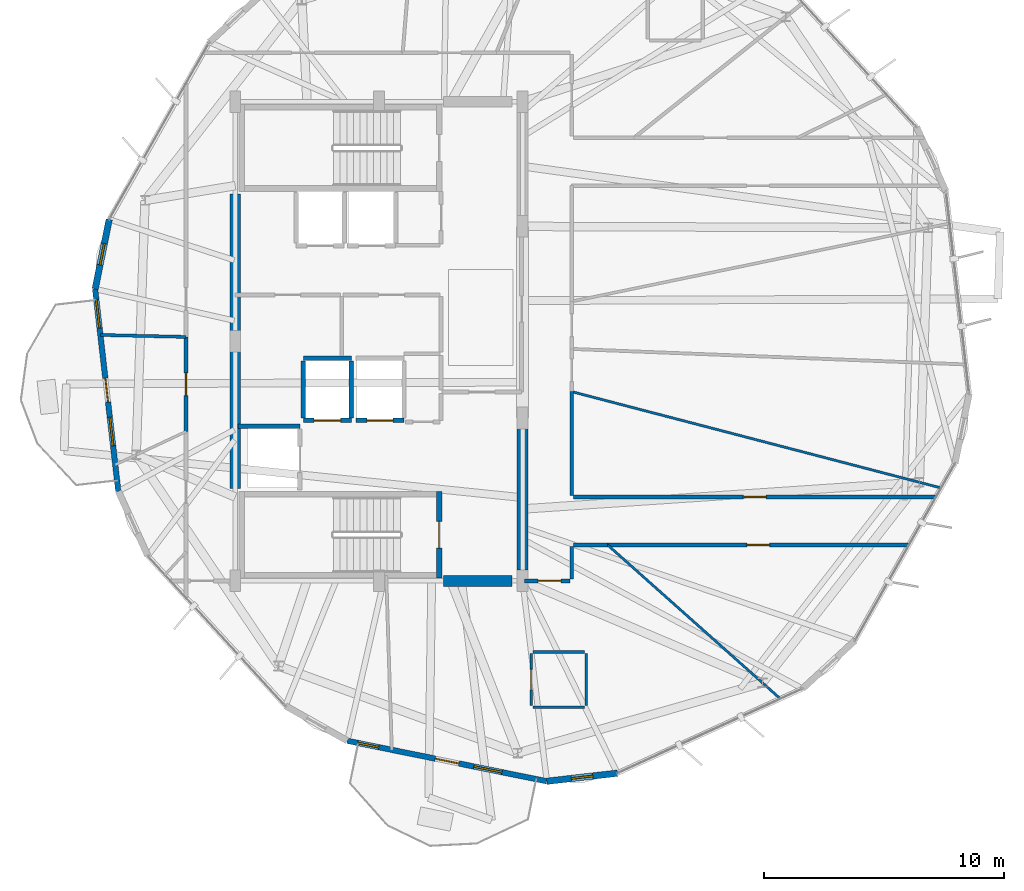
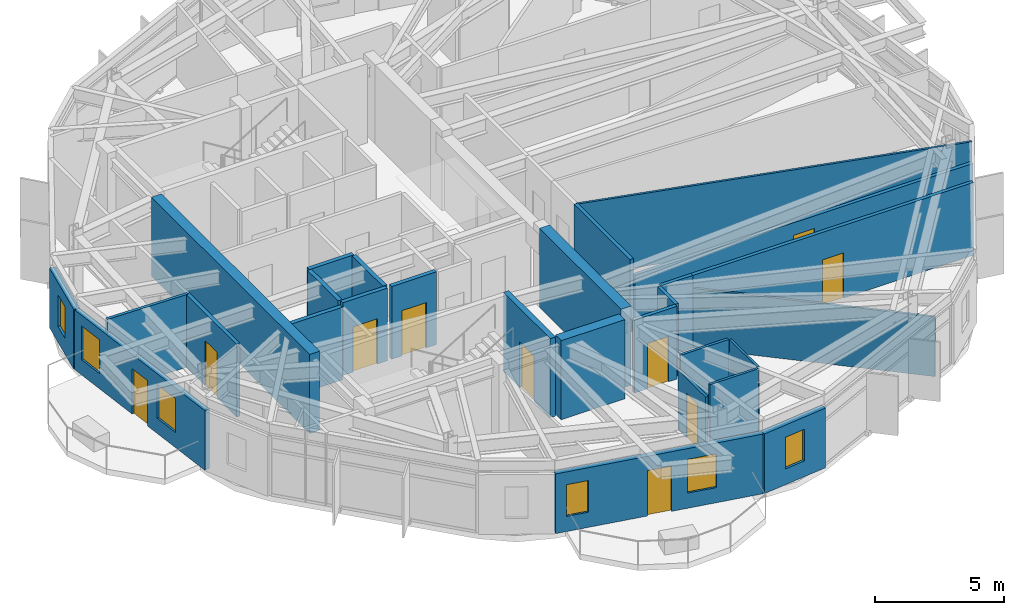
# One storey, part 17 of 23: 28 walls, 10 doors, 6 windows, 16 openings.
"""IFC4 building model written with IfcOpenShell, lengths in metres."""

from ifc_helpers import new_model, si_unit, direction, frame, frame_2d, origin, place, context, subcontext, project, spatial, rectangle, extrude, material, layer, layer_set, type_object, element, fill, save


model = new_model("IFC4")

# Units and contexts
model_context = context("Model", 3, precision=1e-05, world=origin(), true_north=direction((0.0, 1.0)))
body_context = subcontext(model_context, "Body", "Model", "MODEL_VIEW")
ifc_project = project(units=[si_unit("LENGTHUNIT", "METRE"), si_unit("AREAUNIT", "SQUARE_METRE"), si_unit("VOLUMEUNIT", "CUBIC_METRE"), si_unit("PLANEANGLEUNIT", "RADIAN"), si_unit("MASSUNIT", "GRAM", prefix="KILO")], contexts=[model_context])

# Site, building, storey
site_placement = place(None, origin())
site = spatial("IfcSite", under=ifc_project, at=site_placement, CompositionType="ELEMENT")
building_placement = place(site_placement, origin())
building = spatial("IfcBuilding", under=site, at=building_placement, Name="Soratama Intermodal Tower", CompositionType="ELEMENT")
storey_placement = place(building_placement, frame((0.0, 0.0, 261.25)))
storey = spatial("IfcBuildingStorey", under=building, at=storey_placement, Name="L66", CompositionType="ELEMENT", Elevation=261.25)

# Wall, openings, door, windows
ifc_material_1 = material(Name="Concrete f'c 42 MPa", Category="concrete")
ifc_layer_1 = layer(ifc_material_1, 0.22998046875)
ifc_layer_set_1 = layer_set([ifc_layer_1], Name="Concrete f'c 42 MPa")
wall_type_1 = type_object("IfcWallType", Name="EW-BAL-230", PredefinedType="SOLIDWALL", material=ifc_layer_set_1)
wall_1_placement = place(storey_placement, frame((26.75244140625, 27.185791015625, 0.0), z_axis=(0.0, 0.0, 1.0), x_axis=(0.113886004552, -0.993493823819, 0.0)))
wall_1 = element("IfcWall", 1, at=wall_1_placement, inside=storey, type_object=wall_type_1, Name="L66 Terrace Wall F04", PredefinedType="SOLIDWALL", context=body_context, shape_type="SweptSolid", body=[
    extrude(rectangle(XDim=8.5, YDim=0.22998046875, at=frame_2d((4.25, 0.0))), origin(), (0.0, 0.0, 1.0), 2.8291015625),
])
opening_1_placement = place(wall_1_placement, frame((3.75, 0.0, 0.0)))
opening_1 = element("IfcOpeningElement", 2, at=opening_1_placement, cuts=wall_1, Name="Opening ED-2", PredefinedType="OPENING", context=body_context, shape_type="SweptSolid", body=[
    extrude(rectangle(XDim=1.0, YDim=2.14990234375, at=frame_2d((0.5, 1.074951171875))), frame((0.0, 0.125, 0.0), z_axis=(0.0, -1.0, 0.0), x_axis=(1.0, 0.0, 0.0)), (0.0, 0.0, 1.0), 0.25),
])
opening_2_placement = place(wall_1_placement, frame((0.43994140625, 0.0, 0.719970703125)))
opening_2 = element("IfcOpeningElement", 3, at=opening_2_placement, cuts=wall_1, Name="Opening WN-2", PredefinedType="OPENING", context=body_context, shape_type="SweptSolid", body=[
    extrude(rectangle(XDim=1.199951171875, YDim=1.60009765625, at=frame_2d((0.60009765625, 0.800048828125))), frame((0.0, 0.125, 0.0), z_axis=(0.0, -1.0, 0.0), x_axis=(1.0, 0.0, 0.0)), (0.0, 0.0, 1.0), 0.25),
])
opening_3_placement = place(wall_1_placement, frame((5.389892578125, 0.0, 0.719970703125)))
opening_3 = element("IfcOpeningElement", 4, at=opening_3_placement, cuts=wall_1, Name="Opening WN-2", PredefinedType="OPENING", context=body_context, shape_type="SweptSolid", body=[
    extrude(rectangle(XDim=1.199951171875, YDim=1.60009765625, at=frame_2d((0.60009765625, 0.800048828125))), frame((0.0, 0.125, 0.0), z_axis=(0.0, -1.0, 0.0), x_axis=(1.0, 0.0, 0.0)), (0.0, 0.0, 1.0), 0.25),
])
ifc_material_2 = material(Name="Double-glazed aluminium door", Category="aluminium")
door_type_1 = type_object("IfcDoorType", Name="DR-BAL-1000", OperationType="NOTDEFINED", PredefinedType="DOOR", material=ifc_material_2)
door_1_placement = place(opening_1_placement, origin())
door_1 = element("IfcDoor", 5, at=door_1_placement, inside=storey, type_object=door_type_1, Name="L66 Balcony Door F04", OperationType="SINGLE_SWING_RIGHT", OverallHeight=2.14990234375, OverallWidth=1.0, PredefinedType="DOOR", context=body_context, shape_type="SweptSolid", body=[
    extrude(rectangle(XDim=1.0, YDim=2.14990234375, at=frame_2d((0.5, 1.074951171875))), frame((0.0, 0.02490234375, 0.0), z_axis=(0.0, -1.0, 0.0), x_axis=(1.0, 0.0, 0.0)), (0.0, 0.0, 1.0), 0.050048828125),
])
fill(opening_1, door_1)
ifc_material_3 = material(Name="Double-glazed aluminium window", Category="aluminium")
window_type_1 = type_object("IfcWindowType", Name="WN-FAC-1200", PartitioningType="SINGLE_PANEL", PredefinedType="WINDOW", material=ifc_material_3)
window_1_placement = place(opening_2_placement, origin())
window_1 = element("IfcWindow", 6, at=window_1_placement, inside=storey, type_object=window_type_1, Name="L66 Window A F04", OverallHeight=1.60009765625, OverallWidth=1.199951171875, PartitioningType="SINGLE_PANEL", PredefinedType="WINDOW", context=body_context, shape_type="SweptSolid", body=[
    extrude(rectangle(XDim=1.199951171875, YDim=1.60009765625, at=frame_2d((0.60009765625, 0.800048828125))), frame((0.0, 0.030029296875, 0.0), z_axis=(0.0, -1.0, 0.0), x_axis=(1.0, 0.0, 0.0)), (0.0, 0.0, 1.0), 0.06005859375),
])
fill(opening_2, window_1)
window_2_placement = place(opening_3_placement, origin())
window_2 = element("IfcWindow", 7, at=window_2_placement, inside=storey, type_object=window_type_1, Name="L66 Window B F04", OverallHeight=1.60009765625, OverallWidth=1.199951171875, PartitioningType="SINGLE_PANEL", PredefinedType="WINDOW", context=body_context, shape_type="SweptSolid", body=[
    extrude(rectangle(XDim=1.199951171875, YDim=1.60009765625, at=frame_2d((0.60009765625, 0.800048828125))), frame((0.0, 0.030029296875, 0.0), z_axis=(0.0, -1.0, 0.0), x_axis=(1.0, 0.0, 0.0)), (0.0, 0.0, 1.0), 0.06005859375),
])
fill(opening_3, window_2)

wall_2_placement = place(storey_placement, frame((37.282470703125, 8.321044921875, 0.0), z_axis=(0.0, 0.0, 1.0), x_axis=(0.980059134028, -0.198706048744, 0.0)))
wall_2 = element("IfcWall", 8, at=wall_2_placement, inside=storey, type_object=wall_type_1, Name="L66 Terrace Wall F06", PredefinedType="SOLIDWALL", context=body_context, shape_type="SweptSolid", body=[
    extrude(rectangle(XDim=8.499755859375, YDim=0.22998046875, at=frame_2d((4.25, 0.0))), origin(), (0.0, 0.0, 1.0), 2.8291015625),
])
opening_4_placement = place(wall_2_placement, frame((3.75, 0.0, 0.0)))
opening_4 = element("IfcOpeningElement", 9, at=opening_4_placement, cuts=wall_2, Name="Opening ED-2", PredefinedType="OPENING", context=body_context, shape_type="SweptSolid", body=[
    extrude(rectangle(XDim=1.0, YDim=2.14990234375, at=frame_2d((0.5, 1.074951171875))), frame((0.0, 0.125, 0.0), z_axis=(0.0, -1.0, 0.0), x_axis=(1.0, 0.0, 0.0)), (0.0, 0.0, 1.0), 0.25),
])
opening_5_placement = place(wall_2_placement, frame((0.43994140625, 0.0, 0.719970703125)))
opening_5 = element("IfcOpeningElement", 10, at=opening_5_placement, cuts=wall_2, Name="Opening WN-6", PredefinedType="OPENING", context=body_context, shape_type="SweptSolid", body=[
    extrude(rectangle(XDim=0.89990234375, YDim=1.5, at=frame_2d((0.449951171875, 0.75))), frame((0.0, 0.125, 0.0), z_axis=(0.0, -1.0, 0.0), x_axis=(1.0, 0.0, 0.0)), (0.0, 0.0, 1.0), 0.25),
])
opening_6_placement = place(wall_2_placement, frame((5.389892578125, 0.0, 0.719970703125)))
opening_6 = element("IfcOpeningElement", 11, at=opening_6_placement, cuts=wall_2, Name="Opening WN-2", PredefinedType="OPENING", context=body_context, shape_type="SweptSolid", body=[
    extrude(rectangle(XDim=1.199951171875, YDim=1.60009765625, at=frame_2d((0.60009765625, 0.800048828125))), frame((0.0, 0.125, 0.0), z_axis=(0.0, -1.0, 0.0), x_axis=(1.0, 0.0, 0.0)), (0.0, 0.0, 1.0), 0.25),
])
door_2_placement = place(opening_4_placement, origin())
door_2 = element("IfcDoor", 12, at=door_2_placement, inside=storey, type_object=door_type_1, Name="L66 Balcony Door F06", OperationType="SINGLE_SWING_RIGHT", OverallHeight=2.14990234375, OverallWidth=1.0, PredefinedType="DOOR", context=body_context, shape_type="SweptSolid", body=[
    extrude(rectangle(XDim=1.0, YDim=2.14990234375, at=frame_2d((0.5, 1.074951171875))), frame((0.0, 0.02490234375, 0.0), z_axis=(0.0, -1.0, 0.0), x_axis=(1.0, 0.0, 0.0)), (0.0, 0.0, 1.0), 0.050048828125),
])
fill(opening_4, door_2)
window_3_placement = place(opening_6_placement, origin())
window_3 = element("IfcWindow", 13, at=window_3_placement, inside=storey, type_object=window_type_1, Name="L66 Window B F06", OverallHeight=1.60009765625, OverallWidth=1.199951171875, PartitioningType="SINGLE_PANEL", PredefinedType="WINDOW", context=body_context, shape_type="SweptSolid", body=[
    extrude(rectangle(XDim=1.199951171875, YDim=1.60009765625, at=frame_2d((0.60009765625, 0.800048828125))), frame((0.0, 0.030029296875, 0.0), z_axis=(0.0, -1.0, 0.0), x_axis=(1.0, 0.0, 0.0)), (0.0, 0.0, 1.0), 0.06005859375),
])
fill(opening_6, window_3)
ifc_material_4 = material(Name="Double-glazed aluminium window", Category="aluminium")
window_type_2 = type_object("IfcWindowType", Name="WN-FAC-900", PartitioningType="SINGLE_PANEL", PredefinedType="WINDOW", material=ifc_material_4)
window_4_placement = place(opening_5_placement, origin())
window_4 = element("IfcWindow", 14, at=window_4_placement, inside=storey, type_object=window_type_2, Name="L66 Window A F06", OverallHeight=1.5, OverallWidth=0.89990234375, PartitioningType="SINGLE_PANEL", PredefinedType="WINDOW", context=body_context, shape_type="SweptSolid", body=[
    extrude(rectangle(XDim=0.89990234375, YDim=1.5, at=frame_2d((0.449951171875, 0.75))), frame((0.0, 0.030029296875, 0.0), z_axis=(0.0, -1.0, 0.0), x_axis=(1.0, 0.0, 0.0)), (0.0, 0.0, 1.0), 0.06005859375),
])
fill(opening_5, window_4)

# Wall, opening, window
ifc_material_5 = material(Name="Concrete f'c 42 MPa", Category="concrete")
ifc_layer_2 = layer(ifc_material_5, 0.27001953125)
ifc_layer_set_2 = layer_set([ifc_layer_2], Name="Concrete f'c 42 MPa")
wall_type_2 = type_object("IfcWallType", Name="EW-CRN-270", PredefinedType="SOLIDWALL", material=ifc_layer_set_2)
wall_3_placement = place(storey_placement, frame((27.341796875, 30.09326171875, 0.0), z_axis=(0.0, 0.0, 1.0), x_axis=(-0.198663496017, -0.980067760591, 0.0)))
wall_3 = element("IfcWall", 15, at=wall_3_placement, inside=storey, type_object=wall_type_2, Name="L66 Corner Closure Wall 03", PredefinedType="SOLIDWALL", context=body_context, shape_type="SweptSolid", body=[
    extrude(rectangle(XDim=2.966552734375, YDim=0.27001953125, at=frame_2d((1.4833984375, 0.0))), origin(), (0.0, 0.0, 1.0), 2.8291015625),
])
opening_7_placement = place(wall_3_placement, frame((1.033203125, 0.0, 0.75)))
opening_7 = element("IfcOpeningElement", 16, at=opening_7_placement, cuts=wall_3, Name="Opening WN-6", PredefinedType="OPENING", context=body_context, shape_type="SweptSolid", body=[
    extrude(rectangle(XDim=0.89990234375, YDim=1.5, at=frame_2d((0.449951171875, 0.75))), frame((0.0, 0.14501953125, 0.0), z_axis=(0.0, -1.0, 0.0), x_axis=(1.0, 0.0, 0.0)), (0.0, 0.0, 1.0), 0.2900390625),
])
window_5_placement = place(opening_7_placement, origin())
window_5 = element("IfcWindow", 17, at=window_5_placement, inside=storey, type_object=window_type_2, Name="L66 Corner Window 03", OverallHeight=1.5, OverallWidth=0.89990234375, PartitioningType="SINGLE_PANEL", PredefinedType="WINDOW", context=body_context, shape_type="SweptSolid", body=[
    extrude(rectangle(XDim=0.89990234375, YDim=1.5, at=frame_2d((0.449951171875, 0.75))), frame((0.0, 0.030029296875, 0.0), z_axis=(0.0, -1.0, 0.0), x_axis=(1.0, 0.0, 0.0)), (0.0, 0.0, 1.0), 0.06005859375),
])
fill(opening_7, window_5)

wall_4_placement = place(storey_placement, frame((45.61279296875, 6.632080078125, 0.0), z_axis=(0.0, 0.0, 1.0), x_axis=(0.993482974501, 0.113980609649, 0.0)))
wall_4 = element("IfcWall", 18, at=wall_4_placement, inside=storey, type_object=wall_type_2, Name="L66 Corner Closure Wall 06", PredefinedType="SOLIDWALL", context=body_context, shape_type="SweptSolid", body=[
    extrude(rectangle(XDim=2.966552734375, YDim=0.27001953125, at=frame_2d((1.4833984375, 0.0))), origin(), (0.0, 0.0, 1.0), 2.8291015625),
])
opening_8_placement = place(wall_4_placement, frame((1.033203125, 0.0, 0.75)))
opening_8 = element("IfcOpeningElement", 19, at=opening_8_placement, cuts=wall_4, Name="Opening WN-6", PredefinedType="OPENING", context=body_context, shape_type="SweptSolid", body=[
    extrude(rectangle(XDim=0.89990234375, YDim=1.5, at=frame_2d((0.449951171875, 0.75))), frame((0.0, 0.14501953125, 0.0), z_axis=(0.0, -1.0, 0.0), x_axis=(1.0, 0.0, 0.0)), (0.0, 0.0, 1.0), 0.2900390625),
])
window_6_placement = place(opening_8_placement, origin())
window_6 = element("IfcWindow", 20, at=window_6_placement, inside=storey, type_object=window_type_2, Name="L66 Corner Window 06", OverallHeight=1.5, OverallWidth=0.89990234375, PartitioningType="SINGLE_PANEL", PredefinedType="WINDOW", context=body_context, shape_type="SweptSolid", body=[
    extrude(rectangle(XDim=0.89990234375, YDim=1.5, at=frame_2d((0.449951171875, 0.75))), frame((0.0, 0.030029296875, 0.0), z_axis=(0.0, -1.0, 0.0), x_axis=(1.0, 0.0, 0.0)), (0.0, 0.0, 1.0), 0.06005859375),
])
fill(opening_8, window_6)

# Wall, opening, door
ifc_material_6 = material(Name="Fire-rated gypsum stud partition", Category="concrete")
ifc_layer_3 = layer(ifc_material_6, 0.159912109375)
ifc_layer_set_3 = layer_set([ifc_layer_3], Name="Fire-rated gypsum stud partition")
wall_type_3 = type_object("IfcWallType", Name="IW-PART-R160", PredefinedType="PARTITIONING", material=ifc_layer_set_3)
wall_5_placement = place(storey_placement, frame((46.719970703125, 18.5, 0.0), z_axis=(0.0, 0.0, 1.0), x_axis=(1.0, 0.0, 0.0)))
wall_5 = element("IfcWall", 21, at=wall_5_placement, inside=storey, type_object=wall_type_3, Name="L66 Partition W-L66-TP005", PredefinedType="PARTITIONING", context=body_context, shape_type="SweptSolid", body=[
    extrude(rectangle(XDim=15.14404296875, YDim=0.159912109375, at=frame_2d((7.572021484375, 0.0))), origin(), (0.0, 0.0, 1.0), 2.7451171875),
])
opening_9_placement = place(wall_5_placement, frame((7.096923828125, 0.0, 0.0)))
opening_9 = element("IfcOpeningElement", 22, at=opening_9_placement, cuts=wall_5, Name="Opening ID-3", PredefinedType="OPENING", context=body_context, shape_type="SweptSolid", body=[
    extrude(rectangle(XDim=0.949951171875, YDim=2.14990234375, at=frame_2d((0.47509765625, 1.074951171875))), frame((0.0, 0.08984375, 0.0), z_axis=(0.0, -1.0, 0.0), x_axis=(1.0, 0.0, 0.0)), (0.0, 0.0, 1.0), 0.179931640625),
])
ifc_material_7 = material(Name="Solid hardwood acoustic door", Category="wood")
door_type_2 = type_object("IfcDoorType", Name="DR-ROOM-950", OperationType="NOTDEFINED", PredefinedType="DOOR", material=ifc_material_7)
door_3_placement = place(opening_9_placement, origin())
door_3 = element("IfcDoor", 23, at=door_3_placement, inside=storey, type_object=door_type_2, Name="L66 Door D-L66-TP002", OperationType="SINGLE_SWING_LEFT", OverallHeight=2.14990234375, OverallWidth=0.949951171875, PredefinedType="DOOR", context=body_context, shape_type="SweptSolid", body=[
    extrude(rectangle(XDim=0.949951171875, YDim=2.14990234375, at=frame_2d((0.47509765625, 1.074951171875))), frame((0.0, 0.02490234375, 0.0), z_axis=(0.0, -1.0, 0.0), x_axis=(1.0, 0.0, 0.0)), (0.0, 0.0, 1.0), 0.050048828125),
])
fill(opening_9, door_3)

wall_6_placement = place(storey_placement, frame((60.73388671875, 16.5, 0.0), z_axis=(0.0, 0.0, 1.0), x_axis=(-1.0, 0.0, 0.0)))
wall_6 = element("IfcWall", 24, at=wall_6_placement, inside=storey, type_object=wall_type_3, Name="L66 Partition W-L66-TP006", PredefinedType="PARTITIONING", context=body_context, shape_type="SweptSolid", body=[
    extrude(rectangle(XDim=12.5849609375, YDim=0.159912109375, at=frame_2d((6.29248046875, 0.0))), origin(), (0.0, 0.0, 1.0), 3.449951171875),
])
opening_10_placement = place(wall_6_placement, frame((5.818115234375, 0.0, 0.0)))
opening_10 = element("IfcOpeningElement", 25, at=opening_10_placement, cuts=wall_6, Name="Opening ID-3", PredefinedType="OPENING", context=body_context, shape_type="SweptSolid", body=[
    extrude(rectangle(XDim=0.949951171875, YDim=2.14990234375, at=frame_2d((0.47509765625, 1.074951171875))), frame((0.0, 0.08984375, 0.0), z_axis=(0.0, -1.0, 0.0), x_axis=(1.0, 0.0, 0.0)), (0.0, 0.0, 1.0), 0.179931640625),
])
door_4_placement = place(opening_10_placement, origin())
door_4 = element("IfcDoor", 26, at=door_4_placement, inside=storey, type_object=door_type_2, Name="L66 Door D-L66-TP003", OperationType="SINGLE_SWING_RIGHT", OverallHeight=2.14990234375, OverallWidth=0.949951171875, PredefinedType="DOOR", context=body_context, shape_type="SweptSolid", body=[
    extrude(rectangle(XDim=0.949951171875, YDim=2.14990234375, at=frame_2d((0.47509765625, 1.074951171875))), frame((0.0, 0.02490234375, 0.0), z_axis=(0.0, -1.0, 0.0), x_axis=(1.0, 0.0, 0.0)), (0.0, 0.0, 1.0), 0.050048828125),
])
fill(opening_10, door_4)

# Wall
wall_7_placement = place(storey_placement, frame((46.64990234375, 22.90087890625, 0.0), z_axis=(0.0, 0.0, 1.0), x_axis=(0.0, -1.0, 0.0)))
element("IfcWall", 27, at=wall_7_placement, inside=storey, type_object=wall_type_3, Name="L66 Partition W-L66-TP020", PredefinedType="PARTITIONING", context=body_context, shape_type="SweptSolid", body=[
    extrude(rectangle(XDim=4.330810546875, YDim=0.159912109375, at=frame_2d((2.16552734375, 0.0))), origin(), (0.0, 0.0, 1.0), 3.449951171875),
])

# Wall, opening, door
wall_8_placement = place(storey_placement, frame((30.550048828125, 21.23388671875, 0.0), z_axis=(0.0, 0.0, 1.0), x_axis=(0.0, 1.0, 0.0)))
wall_8 = element("IfcWall", 28, at=wall_8_placement, inside=storey, type_object=wall_type_3, Name="L66 Partition W-L66-TP023", PredefinedType="PARTITIONING", context=body_context, shape_type="SweptSolid", body=[
    extrude(rectangle(XDim=3.951171875, YDim=0.159912109375, at=frame_2d((1.9755859375, 0.0))), origin(), (0.0, 0.0, 1.0), 3.449951171875),
])
opening_11_placement = place(wall_8_placement, frame((1.5, 0.0, 0.0)))
opening_11 = element("IfcOpeningElement", 29, at=opening_11_placement, cuts=wall_8, Name="Opening ID-3", PredefinedType="OPENING", context=body_context, shape_type="SweptSolid", body=[
    extrude(rectangle(XDim=0.949951171875, YDim=2.14990234375, at=frame_2d((0.47509765625, 1.074951171875))), frame((0.0, 0.08984375, 0.0), z_axis=(0.0, -1.0, 0.0), x_axis=(1.0, 0.0, 0.0)), (0.0, 0.0, 1.0), 0.179931640625),
])
door_5_placement = place(opening_11_placement, origin())
door_5 = element("IfcDoor", 30, at=door_5_placement, inside=storey, type_object=door_type_2, Name="L66 Door D-L66-TP012", OperationType="SINGLE_SWING_LEFT", OverallHeight=2.14990234375, OverallWidth=0.949951171875, PredefinedType="DOOR", context=body_context, shape_type="SweptSolid", body=[
    extrude(rectangle(XDim=0.949951171875, YDim=2.14990234375, at=frame_2d((0.47509765625, 1.074951171875))), frame((0.0, 0.02490234375, 0.0), z_axis=(0.0, -1.0, 0.0), x_axis=(1.0, 0.0, 0.0)), (0.0, 0.0, 1.0), 0.050048828125),
])
fill(opening_11, door_5)

wall_9_placement = place(storey_placement, frame((46.580078125, 15.0, 0.0), z_axis=(0.0, 0.0, 1.0), x_axis=(-1.0, 0.0, 0.0)))
wall_9 = element("IfcWall", 31, at=wall_9_placement, inside=storey, type_object=wall_type_3, Name="L66 Partition W-L66-TP044", PredefinedType="PARTITIONING", context=body_context, shape_type="SweptSolid", body=[
    extrude(rectangle(XDim=1.91015625, YDim=0.159912109375, at=frame_2d((0.955078125, 0.0))), origin(), (0.0, 0.0, 1.0), 3.449951171875),
])
opening_12_placement = place(wall_9_placement, frame((0.384033203125, 0.0, 0.0)))
opening_12 = element("IfcOpeningElement", 32, at=opening_12_placement, cuts=wall_9, Name="Opening ID-3", PredefinedType="OPENING", context=body_context, shape_type="SweptSolid", body=[
    extrude(rectangle(XDim=0.949951171875, YDim=2.14990234375, at=frame_2d((0.47509765625, 1.074951171875))), frame((0.0, 0.08984375, 0.0), z_axis=(0.0, -1.0, 0.0), x_axis=(1.0, 0.0, 0.0)), (0.0, 0.0, 1.0), 0.179931640625),
])
door_6_placement = place(opening_12_placement, origin())
door_6 = element("IfcDoor", 33, at=door_6_placement, inside=storey, type_object=door_type_2, Name="L66 Door D-L66-TP021", OperationType="SINGLE_SWING_RIGHT", OverallHeight=2.14990234375, OverallWidth=0.949951171875, PredefinedType="DOOR", context=body_context, shape_type="SweptSolid", body=[
    extrude(rectangle(XDim=0.949951171875, YDim=2.14990234375, at=frame_2d((0.47509765625, 1.074951171875))), frame((0.0, 0.02490234375, 0.0), z_axis=(0.0, -1.0, 0.0), x_axis=(1.0, 0.0, 0.0)), (0.0, 0.0, 1.0), 0.050048828125),
])
fill(opening_12, door_6)

# Walls
wall_10_placement = place(storey_placement, frame((48.14892578125, 16.5, 0.0), z_axis=(0.0, 0.0, 1.0), x_axis=(-1.0, 0.0, 0.0)))
element("IfcWall", 34, at=wall_10_placement, inside=storey, type_object=wall_type_3, Name="L66 Partition W-L66-TP051", PredefinedType="PARTITIONING", context=body_context, shape_type="SweptSolid", body=[
    extrude(rectangle(XDim=1.428955078125, YDim=0.159912109375, at=frame_2d((0.71435546875, 0.0))), origin(), (0.0, 0.0, 1.0), 3.449951171875),
])
wall_11_placement = place(storey_placement, frame((46.64990234375, 16.429931640625, 0.0), z_axis=(0.0, 0.0, 1.0), x_axis=(0.0, -1.0, 0.0)))
element("IfcWall", 35, at=wall_11_placement, inside=storey, type_object=wall_type_3, Name="L66 Partition W-L66-TP052", PredefinedType="PARTITIONING", context=body_context, shape_type="SweptSolid", body=[
    extrude(rectangle(XDim=1.35986328125, YDim=0.159912109375, at=frame_2d((0.679931640625, 0.0))), origin(), (0.0, 0.0, 1.0), 3.449951171875),
])
ifc_material_8 = material(Name="Fire-rated gypsum stud partition", Category="concrete")
ifc_layer_4 = layer(ifc_material_8, 0.10009765625)
ifc_layer_set_4 = layer_set([ifc_layer_4], Name="Fire-rated gypsum stud partition")
wall_type_4 = type_object("IfcWallType", Name="IW-PART-S100", PredefinedType="PARTITIONING", material=ifc_layer_set_4)
wall_12_placement = place(storey_placement, frame((46.64990234375, 22.90087890625, 0.0), z_axis=(0.0, 0.0, 1.0), x_axis=(0.967654990115, -0.252277268309, 0.0)))
element("IfcWall", 36, at=wall_12_placement, inside=storey, type_object=wall_type_4, Name="L66 Partition W-L66-TP003", PredefinedType="PARTITIONING", context=body_context, shape_type="SweptSolid", body=[
    extrude(rectangle(XDim=15.942626953125, YDim=0.10009765625, at=frame_2d((7.97119140625, 0.0))), origin(), (0.0, 0.0, 1.0), 3.449951171875),
])
wall_13_placement = place(storey_placement, frame((48.14892578125, 16.5, 0.0), z_axis=(0.0, 0.0, 1.0), x_axis=(0.746911305698, -0.664923680899, 0.0)))
element("IfcWall", 37, at=wall_13_placement, inside=storey, type_object=wall_type_4, Name="L66 Partition W-L66-TP008", PredefinedType="PARTITIONING", context=body_context, shape_type="SweptSolid", body=[
    extrude(rectangle(XDim=9.659912109375, YDim=0.10009765625, at=frame_2d((4.830078125, 0.0))), origin(), (0.0, 0.0, 1.0), 2.827880859375),
])
wall_14_placement = place(storey_placement, frame((47.260009765625, 9.798095703125, 0.0), z_axis=(0.0, 0.0, 1.0), x_axis=(0.0, 1.0, 0.0)))
element("IfcWall", 38, at=wall_14_placement, inside=storey, type_object=wall_type_4, Name="L66 Partition W-L66-TP038", PredefinedType="PARTITIONING", context=body_context, shape_type="SweptSolid", body=[
    extrude(rectangle(XDim=2.159912109375, YDim=0.10009765625, at=frame_2d((1.080078125, 0.0))), origin(), (0.0, 0.0, 1.0), 3.449951171875),
])

# Wall, opening, door
ifc_material_9 = material(Name="Fire-rated gypsum stud partition", Category="concrete")
ifc_layer_5 = layer(ifc_material_9, 0.110107421875)
ifc_layer_set_5 = layer_set([ifc_layer_5], Name="Fire-rated gypsum stud partition")
wall_type_5 = type_object("IfcWallType", Name="IW-PART-S110", PredefinedType="PARTITIONING", material=ifc_layer_set_5)
wall_15_placement = place(storey_placement, frame((44.9599609375, 11.9580078125, 0.0), z_axis=(0.0, 0.0, 1.0), x_axis=(0.0, -1.0, 0.0)))
wall_15 = element("IfcWall", 39, at=wall_15_placement, inside=storey, type_object=wall_type_5, Name="L66 Partition W-L66-TP037", PredefinedType="PARTITIONING", context=body_context, shape_type="SweptSolid", body=[
    extrude(rectangle(XDim=2.159912109375, YDim=0.110107421875, at=frame_2d((1.080078125, 0.0))), origin(), (0.0, 0.0, 1.0), 2.827880859375),
])
opening_13_placement = place(wall_15_placement, frame((0.655029296875, 0.0, 0.0)))
opening_13 = element("IfcOpeningElement", 40, at=opening_13_placement, cuts=wall_15, Name="Opening ID-4", PredefinedType="OPENING", context=body_context, shape_type="SweptSolid", body=[
    extrude(rectangle(XDim=0.85009765625, YDim=2.10009765625, at=frame_2d((0.425048828125, 1.050048828125))), frame((0.0, 0.06494140625, 0.0), z_axis=(0.0, -1.0, 0.0), x_axis=(1.0, 0.0, 0.0)), (0.0, 0.0, 1.0), 0.130126953125),
])
ifc_material_10 = material(Name="Solid hardwood acoustic door", Category="wood")
door_type_3 = type_object("IfcDoorType", Name="DR-BATH-850", OperationType="NOTDEFINED", PredefinedType="DOOR", material=ifc_material_10)
door_7_placement = place(opening_13_placement, origin())
door_7 = element("IfcDoor", 41, at=door_7_placement, inside=storey, type_object=door_type_3, Name="L66 Door D-L66-TP019", OperationType="SINGLE_SWING_RIGHT", OverallHeight=2.10009765625, OverallWidth=0.85009765625, PredefinedType="DOOR", context=body_context, shape_type="SweptSolid", body=[
    extrude(rectangle(XDim=0.85009765625, YDim=2.10009765625, at=frame_2d((0.425048828125, 1.050048828125))), frame((0.0, 0.02490234375, 0.0), z_axis=(0.0, -1.0, 0.0), x_axis=(1.0, 0.0, 0.0)), (0.0, 0.0, 1.0), 0.050048828125),
])
fill(opening_13, door_7)

# Walls
wall_16_placement = place(storey_placement, frame((45.030029296875, 9.72802734375, 0.0), z_axis=(0.0, 0.0, 1.0), x_axis=(1.0, 0.0, 0.0)))
element("IfcWall", 42, at=wall_16_placement, inside=storey, type_object=wall_type_5, Name="L66 Partition W-L66-TP042", PredefinedType="PARTITIONING", context=body_context, shape_type="SweptSolid", body=[
    extrude(rectangle(XDim=2.159912109375, YDim=0.110107421875, at=frame_2d((1.080078125, 0.0))), origin(), (0.0, 0.0, 1.0), 3.449951171875),
])
ifc_material_11 = material(Name="Fire-rated gypsum stud partition", Category="concrete")
ifc_layer_6 = layer(ifc_material_11, 0.1201171875)
ifc_layer_set_6 = layer_set([ifc_layer_6], Name="Fire-rated gypsum stud partition")
wall_type_6 = type_object("IfcWallType", Name="IW-PART-S120", PredefinedType="PARTITIONING", material=ifc_layer_set_6)
wall_17_placement = place(storey_placement, frame((47.18994140625, 12.028076171875, 0.0), z_axis=(0.0, 0.0, 1.0), x_axis=(-1.0, 0.0, 0.0)))
element("IfcWall", 43, at=wall_17_placement, inside=storey, type_object=wall_type_6, Name="L66 Partition W-L66-TP041", PredefinedType="PARTITIONING", context=body_context, shape_type="SweptSolid", body=[
    extrude(rectangle(XDim=2.159912109375, YDim=0.1201171875, at=frame_2d((1.080078125, 0.0))), origin(), (0.0, 0.0, 1.0), 3.449951171875),
])
ifc_material_12 = material(Name="Fire-rated gypsum stud partition", Category="concrete")
ifc_layer_7 = layer(ifc_material_12, 0.1298828125)
ifc_layer_set_7 = layer_set([ifc_layer_7], Name="Fire-rated gypsum stud partition")
wall_type_7 = type_object("IfcWallType", Name="IW-PART-S130", PredefinedType="PARTITIONING", material=ifc_layer_set_7)
wall_18_placement = place(storey_placement, frame((30.550048828125, 25.18505859375, 0.0), z_axis=(0.0, 0.0, 1.0), x_axis=(-0.999737308215, 0.022919741782, 0.0)))
element("IfcWall", 44, at=wall_18_placement, inside=storey, type_object=wall_type_7, Name="L66 Partition W-L66-TP025", PredefinedType="PARTITIONING", context=body_context, shape_type="SweptSolid", body=[
    extrude(rectangle(XDim=3.5791015625, YDim=0.1298828125, at=frame_2d((1.78955078125, 0.0))), origin(), (0.0, 0.0, 1.0), 3.449951171875),
])

# Wall, opening, door
ifc_material_13 = material(Name="Concrete f'c 42 MPa", Category="concrete")
ifc_layer_8 = layer(ifc_material_13, 0.18505859375)
ifc_layer_set_8 = layer_set([ifc_layer_8], Name="Concrete f'c 42 MPa")
wall_type_8 = type_object("IfcWallType", Name="IW-SHAFT-185", PredefinedType="SOLIDWALL", material=ifc_layer_set_8)
wall_19_placement = place(storey_placement, frame((35.449951171875, 21.699951171875, 0.0), z_axis=(0.0, 0.0, 1.0), x_axis=(1.0, 0.0, 0.0)))
wall_19 = element("IfcWall", 45, at=wall_19_placement, inside=storey, type_object=wall_type_8, Name="L66 FFL-1 Hoistway Wall S", PredefinedType="SOLIDWALL", context=body_context, shape_type="SweptSolid", body=[
    extrude(rectangle(XDim=2.0, YDim=0.18505859375, at=frame_2d((1.0, 0.0))), origin(), (0.0, 0.0, 1.0), 3.449951171875),
])
opening_14_placement = place(wall_19_placement, frame((0.449951171875, 0.0, 0.0)))
opening_14 = element("IfcOpeningElement", 46, at=opening_14_placement, cuts=wall_19, Name="Opening LD-1", PredefinedType="OPENING", context=body_context, shape_type="SweptSolid", body=[
    extrude(rectangle(XDim=1.10009765625, YDim=2.14990234375, at=frame_2d((0.550048828125, 1.074951171875))), frame((0.0, 0.1025390625, 0.0), z_axis=(0.0, -1.0, 0.0), x_axis=(1.0, 0.0, 0.0)), (0.0, 0.0, 1.0), 0.205078125),
])
ifc_material_14 = material(Name="Steel fire door", Category="steel")
door_type_4 = type_object("IfcDoorType", Name="DR-LIFT-SLIDE", OperationType="NOTDEFINED", PredefinedType="DOOR", material=ifc_material_14)
door_8_placement = place(opening_14_placement, origin())
door_8 = element("IfcDoor", 47, at=door_8_placement, inside=storey, type_object=door_type_4, Name="L66 FFL-1 Sliding Landing Door", OperationType="SLIDING_TO_LEFT", OverallHeight=2.14990234375, OverallWidth=1.10009765625, PredefinedType="DOOR", context=body_context, shape_type="SweptSolid", body=[
    extrude(rectangle(XDim=1.10009765625, YDim=2.14990234375, at=frame_2d((0.550048828125, 1.074951171875))), frame((0.0, 0.02490234375, 0.0), z_axis=(0.0, -1.0, 0.0), x_axis=(1.0, 0.0, 0.0)), (0.0, 0.0, 1.0), 0.050048828125),
])
fill(opening_14, door_8)

# Walls
wall_20_placement = place(storey_placement, frame((35.449951171875, 24.300048828125, 0.0), z_axis=(0.0, 0.0, 1.0), x_axis=(1.0, 0.0, 0.0)))
element("IfcWall", 48, at=wall_20_placement, inside=storey, type_object=wall_type_8, Name="L66 FFL-1 Hoistway Wall N", PredefinedType="SOLIDWALL", context=body_context, shape_type="SweptSolid", body=[
    extrude(rectangle(XDim=2.0, YDim=0.18505859375, at=frame_2d((1.0, 0.0))), origin(), (0.0, 0.0, 1.0), 3.449951171875),
])
for number, where, z_axis, x_axis, name in (
    (49, (35.449951171875, 21.81005859375, 0.0), (0.0, 0.0, 1.0), (0.0, 1.0, 0.0), "L66 FFL-1 Hoistway Wall W"),
    (50, (37.449951171875, 21.81005859375, 0.0), (0.0, 0.0, 1.0), (0.0, 1.0, 0.0), "L66 FFL-1 Hoistway Wall E"),
):
    element("IfcWall", number, at=place(storey_placement, frame(where, z_axis=z_axis, x_axis=x_axis)), inside=storey, type_object=wall_type_8, Name=name, PredefinedType="SOLIDWALL", context=body_context, shape_type="SweptSolid", body=[
        extrude(rectangle(XDim=2.3798828125, YDim=0.18505859375, at=frame_2d((1.18994140625, 0.0))), origin(), (0.0, 0.0, 1.0), 3.449951171875),
    ])

# Wall, opening, door
wall_21_placement = place(storey_placement, frame((37.64990234375, 21.699951171875, 0.0), z_axis=(0.0, 0.0, 1.0), x_axis=(1.0, 0.0, 0.0)))
wall_21 = element("IfcWall", 51, at=wall_21_placement, inside=storey, type_object=wall_type_8, Name="L66 FFL-2 Hoistway Wall S", PredefinedType="SOLIDWALL", context=body_context, shape_type="SweptSolid", body=[
    extrude(rectangle(XDim=2.0, YDim=0.18505859375, at=frame_2d((1.0, 0.0))), origin(), (0.0, 0.0, 1.0), 3.449951171875),
])
opening_15_placement = place(wall_21_placement, frame((0.449951171875, 0.0, 0.0)))
opening_15 = element("IfcOpeningElement", 52, at=opening_15_placement, cuts=wall_21, Name="Opening LD-1", PredefinedType="OPENING", context=body_context, shape_type="SweptSolid", body=[
    extrude(rectangle(XDim=1.10009765625, YDim=2.14990234375, at=frame_2d((0.550048828125, 1.074951171875))), frame((0.0, 0.1025390625, 0.0), z_axis=(0.0, -1.0, 0.0), x_axis=(1.0, 0.0, 0.0)), (0.0, 0.0, 1.0), 0.205078125),
])
door_9_placement = place(opening_15_placement, origin())
door_9 = element("IfcDoor", 53, at=door_9_placement, inside=storey, type_object=door_type_4, Name="L66 FFL-2 Sliding Landing Door", OperationType="SLIDING_TO_LEFT", OverallHeight=2.14990234375, OverallWidth=1.10009765625, PredefinedType="DOOR", context=body_context, shape_type="SweptSolid", body=[
    extrude(rectangle(XDim=1.10009765625, YDim=2.14990234375, at=frame_2d((0.550048828125, 1.074951171875))), frame((0.0, 0.02490234375, 0.0), z_axis=(0.0, -1.0, 0.0), x_axis=(1.0, 0.0, 0.0)), (0.0, 0.0, 1.0), 0.050048828125),
])
fill(opening_15, door_9)

# Walls
wall_22_placement = place(storey_placement, frame((32.719970703125, 21.449951171875, 0.0), z_axis=(0.0, 0.0, 1.0), x_axis=(1.0, 0.0, 0.0)))
element("IfcWall", 54, at=wall_22_placement, inside=storey, type_object=wall_type_8, Name="L66 SVL-1 Hoistway Wall N", PredefinedType="SOLIDWALL", context=body_context, shape_type="SweptSolid", body=[
    extrude(rectangle(XDim=2.580078125, YDim=0.18505859375, at=frame_2d((1.2900390625, 0.0))), origin(), (0.0, 0.0, 1.0), 3.449951171875),
])
ifc_material_15 = material(Name="Concrete f'c 56 MPa", Category="concrete")
ifc_layer_9 = layer(ifc_material_15, 0.449951171875)
ifc_layer_set_9 = layer_set([ifc_layer_9], Name="Concrete f'c 56 MPa")
wall_type_9 = type_object("IfcWallType", Name="SW-CORE-450", PredefinedType="SHEAR", material=ifc_layer_set_9)
wall_23_placement = place(storey_placement, frame((32.60009765625, 18.85009765625, 0.0), z_axis=(0.0, 0.0, 1.0), x_axis=(0.0, 1.0, 0.0)))
element("IfcWall", 55, at=wall_23_placement, inside=storey, type_object=wall_type_9, Name="L66 Core Shear Wall CW-WMID", PredefinedType="SHEAR", context=body_context, shape_type="SweptSolid", body=[
    extrude(rectangle(XDim=12.2998046875, YDim=0.449951171875, at=frame_2d((6.14990234375, 0.0))), origin(), (0.0, 0.0, 1.0), 3.75),
])
wall_24_placement = place(storey_placement, frame((41.300048828125, 15.0, 0.0), z_axis=(0.0, 0.0, 1.0), x_axis=(1.0, 0.0, 0.0)))
element("IfcWall", 56, at=wall_24_placement, inside=storey, type_object=wall_type_9, Name="L66 Core Shear Wall CW-SE", PredefinedType="SHEAR", context=body_context, shape_type="SweptSolid", body=[
    extrude(rectangle(XDim=2.849853515625, YDim=0.449951171875, at=frame_2d((1.4248046875, 0.0))), origin(), (0.0, 0.0, 1.0), 3.75),
])
wall_25_placement = place(storey_placement, frame((44.60009765625, 15.449951171875, 0.0), z_axis=(0.0, 0.0, 1.0), x_axis=(0.0, 1.0, 0.0)))
element("IfcWall", 57, at=wall_25_placement, inside=storey, type_object=wall_type_9, Name="L66 Core Shear Wall CW-ES", PredefinedType="SHEAR", context=body_context, shape_type="SweptSolid", body=[
    extrude(rectangle(XDim=6.35009765625, YDim=0.449951171875, at=frame_2d((3.175048828125, 0.0))), origin(), (0.0, 0.0, 1.0), 3.75),
])

# Wall, opening, door
ifc_material_16 = material(Name="Concrete f'c 56 MPa", Category="concrete")
ifc_layer_10 = layer(ifc_material_16, 0.239990234375)
ifc_layer_set_10 = layer_set([ifc_layer_10], Name="Concrete f'c 56 MPa")
wall_type_10 = type_object("IfcWallType", Name="SW-STAIR-240", PredefinedType="SHEAR", material=ifc_layer_set_10)
wall_26_placement = place(storey_placement, frame((41.1201171875, 15.110107421875, 0.0), z_axis=(0.0, 0.0, 1.0), x_axis=(0.0, 1.0, 0.0)))
wall_26 = element("IfcWall", 58, at=wall_26_placement, inside=storey, type_object=wall_type_10, Name="L66 ST-1 Shaft Shear Wall E", PredefinedType="SHEAR", context=body_context, shape_type="SweptSolid", body=[
    extrude(rectangle(XDim=3.6298828125, YDim=0.239990234375, at=frame_2d((1.81494140625, 0.0))), origin(), (0.0, 0.0, 1.0), 3.75),
])
opening_16_placement = place(wall_26_placement, frame((1.2548828125, 0.0, 0.0)))
opening_16 = element("IfcOpeningElement", 59, at=opening_16_placement, cuts=wall_26, Name="Opening SD-1", PredefinedType="OPENING", context=body_context, shape_type="SweptSolid", body=[
    extrude(rectangle(XDim=1.1201171875, YDim=2.14990234375, at=frame_2d((0.56005859375, 1.074951171875))), frame((0.0, 0.1298828125, 0.0), z_axis=(0.0, -1.0, 0.0), x_axis=(1.0, 0.0, 0.0)), (0.0, 0.0, 1.0), 0.260009765625),
])
ifc_material_17 = material(Name="Steel fire door", Category="steel")
door_type_5 = type_object("IfcDoorType", Name="DR-STAIR-FD90", OperationType="NOTDEFINED", PredefinedType="DOOR", material=ifc_material_17)
door_10_placement = place(opening_16_placement, origin())
door_10 = element("IfcDoor", 60, at=door_10_placement, inside=storey, type_object=door_type_5, Name="L66 ST-1 Exit Stair Door", OperationType="SINGLE_SWING_LEFT", OverallHeight=2.14990234375, OverallWidth=1.1201171875, PredefinedType="DOOR", context=body_context, shape_type="SweptSolid", body=[
    extrude(rectangle(XDim=1.1201171875, YDim=2.14990234375, at=frame_2d((0.56005859375, 1.074951171875))), frame((0.0, 0.02490234375, 0.0), z_axis=(0.0, -1.0, 0.0), x_axis=(1.0, 0.0, 0.0)), (0.0, 0.0, 1.0), 0.050048828125),
])
fill(opening_16, door_10)

save(model, "model.ifc")
